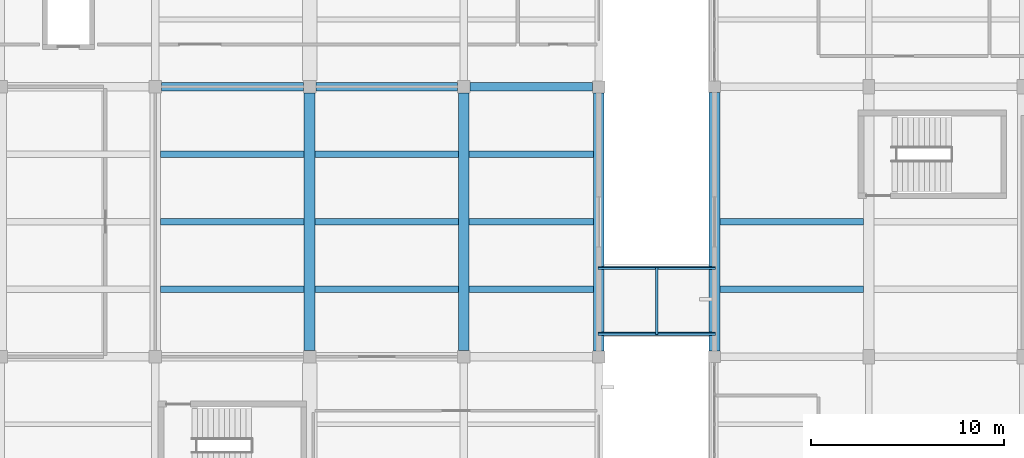
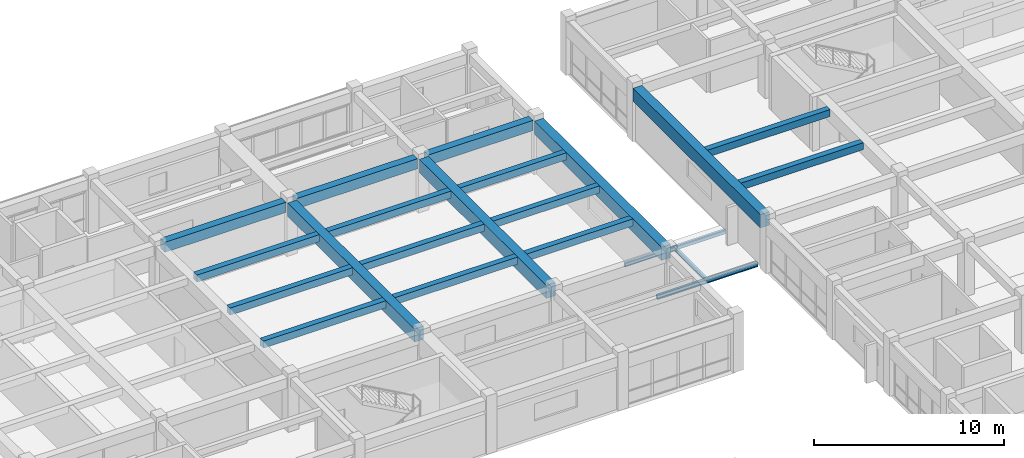
# One storey, part 10 of 33: 21 beams, 2 members.
"""IFC4 building model written with IfcOpenShell, lengths in metres."""

from ifc_helpers import new_model, si_unit, direction, frame, origin, origin_2d, place, context, subcontext, project, spatial, rectangle, hollow_rectangle, i_section, extrude, material, material_profile, profile_set, type_object, element, save


model = new_model("IFC4")

# Units and contexts
model_context = context("Model", 3, precision=1e-05, world=origin(), true_north=direction((0.0, 1.0)))
body_context = subcontext(model_context, "Body", "Model", "MODEL_VIEW")
ifc_project = project(units=[si_unit("LENGTHUNIT", "METRE"), si_unit("AREAUNIT", "SQUARE_METRE"), si_unit("VOLUMEUNIT", "CUBIC_METRE"), si_unit("PLANEANGLEUNIT", "RADIAN"), si_unit("MASSUNIT", "GRAM", prefix="KILO")], contexts=[model_context])

# Site, building, storey
site_placement = place(None, origin())
site = spatial("IfcSite", under=ifc_project, at=site_placement, CompositionType="ELEMENT")
building_placement = place(site_placement, origin())
building = spatial("IfcBuilding", under=site, at=building_placement, Name="Naurynzar Civic Courthouse", CompositionType="ELEMENT")
storey_placement = place(building_placement, frame((0.0, 0.0, 22.050048828125)))
storey = spatial("IfcBuildingStorey", under=building, at=storey_placement, Name="L06", CompositionType="ELEMENT", Elevation=22.050048828125)

# Beams
ifc_material_1 = material(Name="Concrete C40/50", Category="concrete")
ifc_material_profile_1 = material_profile(ifc_material_1, rectangle(XDim=0.550048828125, YDim=0.85009765625, at=origin_2d()), Name="PTB 550x850")
ifc_profile_set_1 = profile_set([ifc_material_profile_1], Name="Concrete C40/50")
beam_type_1 = type_object("IfcBeamType", Name="BM-PT-550x850", PredefinedType="T_BEAM", material=ifc_profile_set_1)
for number, where, z_axis, x_axis, name in (
    (1, (109.0, 51.324951171875, 3.0048828125), (0.0, 1.0, 0.0), (-1.0, 0.0, 0.0), "V2 girder Y-887 L06"),
    (2, (117.0, 51.324951171875, 3.0048828125), (0.0, 1.0, 0.0), (-1.0, 0.0, 0.0), "V2 girder Y-890 L06"),
):
    element("IfcBeam", number, at=place(storey_placement, frame(where, z_axis=z_axis, x_axis=x_axis)), inside=storey, type_object=beam_type_1, Name=name, PredefinedType="T_BEAM", context=body_context, shape_type="SweptSolid", body=[
        extrude(rectangle(XDim=0.550048828125, YDim=0.85009765625, at=origin_2d()), origin(), (0.0, 0.0, 1.0), 13.35009765625),
    ])
beam_1_placement = place(storey_placement, frame((124.0, 51.3125, 3.0048828125), z_axis=(0.0, 1.0, 0.0), x_axis=(-1.0, 0.0, 0.0)))
element("IfcBeam", 3, at=beam_1_placement, inside=storey, type_object=beam_type_1, Name="V2 girder Y-893 L06", PredefinedType="T_BEAM", context=body_context, shape_type="SweptSolid", body=[
    extrude(rectangle(XDim=0.550048828125, YDim=0.85009765625, at=origin_2d()), origin(), (0.0, 0.0, 1.0), 13.375),
])
beam_2_placement = place(storey_placement, frame((130.0, 51.300048828125, 3.0048828125), z_axis=(0.0, 1.0, 0.0), x_axis=(-1.0, 0.0, 0.0)))
element("IfcBeam", 4, at=beam_2_placement, inside=storey, type_object=beam_type_1, Name="V5 girder Y-2765 L06", PredefinedType="T_BEAM", context=body_context, shape_type="SweptSolid", body=[
    extrude(rectangle(XDim=0.550048828125, YDim=0.85009765625, at=origin_2d()), origin(), (0.0, 0.0, 1.0), 13.39990234375),
])
ifc_material_2 = material(Name="Concrete C40/50", Category="concrete")
ifc_material_profile_2 = material_profile(ifc_material_2, rectangle(XDim=0.35009765625, YDim=0.449951171875, at=origin_2d()), Name="RCB 350x450")
ifc_profile_set_2 = profile_set([ifc_material_profile_2], Name="Concrete C40/50")
beam_type_2 = type_object("IfcBeamType", Name="BM-RC-350x450", PredefinedType="BEAM", material=ifc_profile_set_2)
for number, where, z_axis, x_axis, name in (
    (5, (101.27490234375, 54.5, 3.204833984375), (1.0, 0.0, 0.0), (0.0, 1.0, 0.0), "V2 secondary rib 914 L06"),
    (6, (101.27490234375, 58.0, 3.204833984375), (1.0, 0.0, 0.0), (0.0, 1.0, 0.0), "V2 secondary rib 915 L06"),
    (7, (101.27490234375, 61.5, 3.204833984375), (1.0, 0.0, 0.0), (0.0, 1.0, 0.0), "V2 secondary rib 916 L06"),
    (8, (109.27490234375, 54.5, 3.204833984375), (1.0, 0.0, 0.0), (0.0, 1.0, 0.0), "V2 secondary rib 917 L06"),
    (9, (109.27490234375, 58.0, 3.204833984375), (1.0, 0.0, 0.0), (0.0, 1.0, 0.0), "V2 secondary rib 918 L06"),
    (10, (109.27490234375, 61.5, 3.204833984375), (1.0, 0.0, 0.0), (0.0, 1.0, 0.0), "V2 secondary rib 919 L06"),
):
    element("IfcBeam", number, at=place(storey_placement, frame(where, z_axis=z_axis, x_axis=x_axis)), inside=storey, type_object=beam_type_2, Name=name, PredefinedType="BEAM", context=body_context, shape_type="SweptSolid", body=[
        extrude(rectangle(XDim=0.35009765625, YDim=0.449951171875, at=origin_2d()), origin(), (0.0, 0.0, 1.0), 7.4501953125),
    ])
for number, where, z_axis, x_axis, name in (
    (11, (117.27490234375, 54.5, 3.204833984375), (1.0, 0.0, 0.0), (0.0, 1.0, 0.0), "V2 secondary rib 920 L06"),
    (12, (117.27490234375, 58.0, 3.204833984375), (1.0, 0.0, 0.0), (0.0, 1.0, 0.0), "V2 secondary rib 921 L06"),
    (13, (117.27490234375, 61.5, 3.204833984375), (1.0, 0.0, 0.0), (0.0, 1.0, 0.0), "V2 secondary rib 922 L06"),
):
    element("IfcBeam", number, at=place(storey_placement, frame(where, z_axis=z_axis, x_axis=x_axis)), inside=storey, type_object=beam_type_2, Name=name, PredefinedType="BEAM", context=body_context, shape_type="SweptSolid", body=[
        extrude(rectangle(XDim=0.35009765625, YDim=0.449951171875, at=origin_2d()), origin(), (0.0, 0.0, 1.0), 6.4501953125),
    ])
for number, where, z_axis, x_axis, name in (
    (14, (130.27490234375, 54.5, 3.204833984375), (1.0, 0.0, 0.0), (0.0, 1.0, 0.0), "V5 secondary rib 2807 L06"),
    (15, (130.27490234375, 58.0, 3.204833984375), (1.0, 0.0, 0.0), (0.0, 1.0, 0.0), "V5 secondary rib 2808 L06"),
):
    element("IfcBeam", number, at=place(storey_placement, frame(where, z_axis=z_axis, x_axis=x_axis)), inside=storey, type_object=beam_type_2, Name=name, PredefinedType="BEAM", context=body_context, shape_type="SweptSolid", body=[
        extrude(rectangle(XDim=0.35009765625, YDim=0.449951171875, at=origin_2d()), origin(), (0.0, 0.0, 1.0), 7.4501953125),
    ])
ifc_material_3 = material(Name="Concrete C40/50", Category="concrete")
ifc_material_profile_3 = material_profile(ifc_material_3, rectangle(XDim=0.449951171875, YDim=0.64990234375, at=origin_2d()), Name="RCB 450x650")
ifc_profile_set_3 = profile_set([ifc_material_profile_3], Name="Concrete C40/50")
beam_type_3 = type_object("IfcBeamType", Name="BM-RC-450x650", PredefinedType="BEAM", material=ifc_profile_set_3)
for number, where, z_axis, x_axis, name in (
    (16, (101.324951171875, 65.0, 3.10498046875), (1.0, 0.0, 0.0), (0.0, 1.0, 0.0), "V2 beam X-857 L06"),
    (17, (109.324951171875, 65.0, 3.10498046875), (1.0, 0.0, 0.0), (0.0, 1.0, 0.0), "V2 beam X-858 L06"),
):
    element("IfcBeam", number, at=place(storey_placement, frame(where, z_axis=z_axis, x_axis=x_axis)), inside=storey, type_object=beam_type_3, Name=name, PredefinedType="BEAM", context=body_context, shape_type="SweptSolid", body=[
        extrude(rectangle(XDim=0.449951171875, YDim=0.64990234375, at=origin_2d()), origin(), (0.0, 0.0, 1.0), 7.35009765625),
    ])
beam_3_placement = place(storey_placement, frame((117.324951171875, 65.0, 3.10498046875), z_axis=(1.0, 0.0, 0.0), x_axis=(0.0, 1.0, 0.0)))
element("IfcBeam", 18, at=beam_3_placement, inside=storey, type_object=beam_type_3, Name="V2 beam X-859 L06", PredefinedType="BEAM", context=body_context, shape_type="SweptSolid", body=[
    extrude(rectangle(XDim=0.449951171875, YDim=0.64990234375, at=origin_2d()), origin(), (0.0, 0.0, 1.0), 6.362548828125),
])
ifc_material_4 = material(Name="Steel S355", Category="steel")
ifc_material_profile_4 = material_profile(ifc_material_4, i_section(OverallWidth=0.135009765625, OverallDepth=0.27001953125, WebThickness=0.006591796875, FlangeThickness=0.01025390625, FilletRadius=0.014892578125, at=origin_2d()), Name="IPE 270")
ifc_profile_set_4 = profile_set([ifc_material_profile_4], Name="Steel S355")
beam_type_4 = type_object("IfcBeamType", Name="BM-STL-IPE270", PredefinedType="BEAM", material=ifc_profile_set_4)
for number, where, z_axis, x_axis, name in (
    (19, (123.949951171875, 52.169921875, -0.364990234375), (1.0, 0.0, 0.0), (0.0, 1.0, 0.0), "BR-E1 roof edge beam 1"),
    (20, (123.949951171875, 55.6298828125, -0.364990234375), (1.0, 0.0, 0.0), (0.0, 1.0, 0.0), "BR-E1 roof edge beam 2"),
):
    element("IfcBeam", number, at=place(storey_placement, frame(where, z_axis=z_axis, x_axis=x_axis)), inside=storey, type_object=beam_type_4, Name=name, PredefinedType="BEAM", context=body_context, shape_type="SweptSolid", body=[
        extrude(i_section(OverallWidth=0.135009765625, OverallDepth=0.27001953125, WebThickness=0.006591796875, FlangeThickness=0.01025390625, FilletRadius=0.014892578125, at=origin_2d()), origin(), (0.0, 0.0, 1.0), 6.10009765625),
    ])
beam_4_placement = place(storey_placement, frame((127.0, 52.169921875, -0.364990234375), z_axis=(0.0, 1.0, 0.0), x_axis=(-1.0, 0.0, 0.0)))
element("IfcBeam", 21, at=beam_4_placement, inside=storey, type_object=beam_type_4, Name="BR-E1 roof cross-beam 1", PredefinedType="BEAM", context=body_context, shape_type="SweptSolid", body=[
    extrude(i_section(OverallWidth=0.135009765625, OverallDepth=0.27001953125, WebThickness=0.006591796875, FlangeThickness=0.01025390625, FilletRadius=0.014892578125, at=origin_2d()), origin(), (0.0, 0.0, 1.0), 3.4599609375),
])

# Members
ifc_material_5 = material(Name="Steel S355", Category="steel")
ifc_material_profile_5 = material_profile(ifc_material_5, hollow_rectangle(XDim=0.1201171875, YDim=0.199951171875, WallThickness=0.008056640625, InnerFilletRadius=0.008056640625, OuterFilletRadius=0.01611328125, at=origin_2d()), Name="RHS 200x120x8")
ifc_profile_set_5 = profile_set([ifc_material_profile_5], Name="Steel S355")
member_type_1 = type_object("IfcMemberType", Name="MEM-CHORD-RHS200", PredefinedType="CHORD", material=ifc_profile_set_5)
member_1_placement = place(storey_placement, frame((123.949951171875, 55.580078125, -0.35498046875), z_axis=(1.0, 0.0, 0.0), x_axis=(0.0, 1.0, 0.0)))
element("IfcMember", 22, at=member_1_placement, inside=storey, type_object=member_type_1, Name="BR-E1 roof chord 2", PredefinedType="CHORD", context=body_context, shape_type="SweptSolid", body=[
    extrude(hollow_rectangle(XDim=0.1201171875, YDim=0.199951171875, WallThickness=0.008056640625, InnerFilletRadius=0.008056640625, OuterFilletRadius=0.01611328125, at=origin_2d()), origin(), (0.0, 0.0, 1.0), 6.10009765625),
])
ifc_material_6 = material(Name="Steel S355", Category="steel")
ifc_material_profile_6 = material_profile(ifc_material_6, hollow_rectangle(XDim=0.14990234375, YDim=0.25, WallThickness=0.010009765625, InnerFilletRadius=0.010009765625, OuterFilletRadius=0.02001953125, at=origin_2d()), Name="RHS 250x150x10")
ifc_profile_set_6 = profile_set([ifc_material_profile_6], Name="Steel S355")
member_type_2 = type_object("IfcMemberType", Name="MEM-CHORD-RHS250", PredefinedType="CHORD", material=ifc_profile_set_6)
member_2_placement = place(storey_placement, frame((123.949951171875, 52.219970703125, -0.35498046875), z_axis=(1.0, 0.0, 0.0), x_axis=(0.0, 1.0, 0.0)))
element("IfcMember", 23, at=member_2_placement, inside=storey, type_object=member_type_2, Name="BR-E1 roof chord 1", PredefinedType="CHORD", context=body_context, shape_type="SweptSolid", body=[
    extrude(hollow_rectangle(XDim=0.14990234375, YDim=0.25, WallThickness=0.010009765625, InnerFilletRadius=0.010009765625, OuterFilletRadius=0.02001953125, at=origin_2d()), origin(), (0.0, 0.0, 1.0), 6.10009765625),
])

save(model, "model.ifc")
